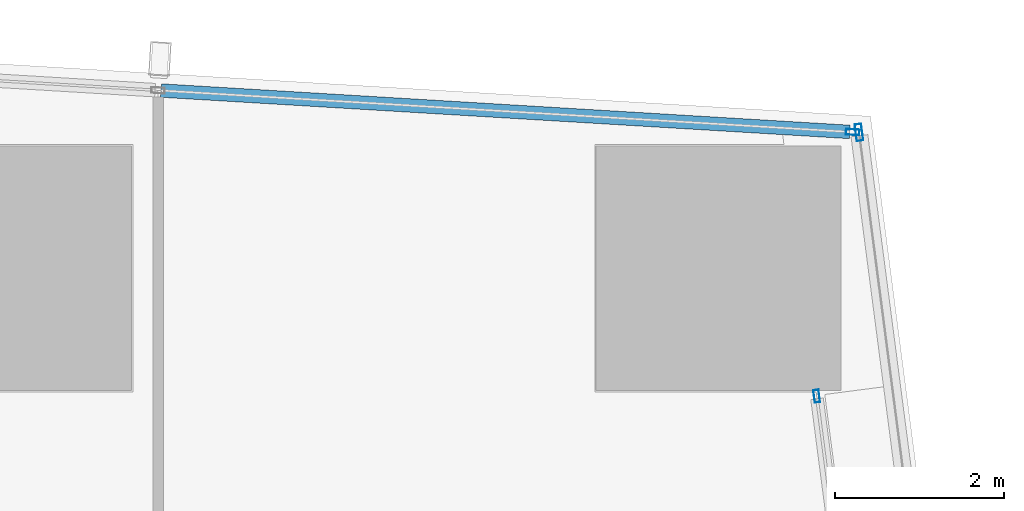
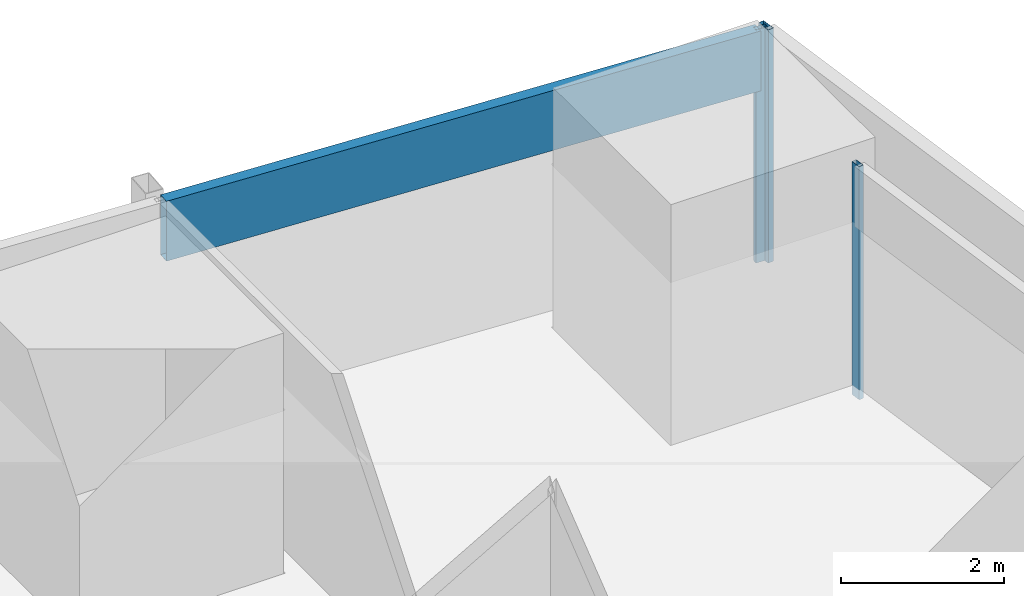
# One storey, part 20 of 40: 4 members, 3 elements without a shape of their own.
"""IFC4 building model written with IfcOpenShell, lengths in metres."""

import ifcopenshell
import ifcopenshell.guid

model = None  # the IFC model being written
_history = None  # IfcOwnerHistory: only IFC2X3 demands one
_inside = {}  # id of a spatial element -> (the spatial element, [elements in it])
_under = {}  # id of a project, library or spatial element -> (it, [spatial elements below it])
_declared = {}  # id of a project -> (the project, [libraries it declares])
_typed = {}  # id of a type object -> (the type object, [elements of that type])
_made_of = {}  # id of a material, layer set ... -> (it, [elements and type objects made of it])


def new_model(schema):
    """Start an empty IFC model of exactly this schema.

    Asked for "IFC4X3", IfcOpenShell would pick the latest addendum, in which some entities
    have other attributes; the version numbers below select the first issue.
    IFC2X3 requires an IfcOwnerHistory on every rooted entity: one is made here for all.
    """
    global model, _history
    if schema == "IFC4X3":
        model = ifcopenshell.file(schema_version=(4, 3, 0, 0))
    else:
        model = ifcopenshell.file(schema=schema)
    _inside.clear()
    _under.clear()
    _declared.clear()
    _typed.clear()
    _made_of.clear()
    _history = None
    if model.schema == "IFC2X3":
        org = make("IfcOrganization", Name="unknown")
        user = make(
            "IfcPersonAndOrganization",
            ThePerson=make("IfcPerson", FamilyName="unknown"),
            TheOrganization=org,
        )
        app = make(
            "IfcApplication",
            ApplicationDeveloper=org,
            Version="unknown",
            ApplicationFullName="unknown",
            ApplicationIdentifier="unknown",
        )
        _history = make(
            "IfcOwnerHistory",
            OwningUser=user,
            OwningApplication=app,
            ChangeAction="ADDED",
            CreationDate=0,
        )
    return model


def make(cls, **values):
    """One entity of the class cls with the attributes given. An attribute that is None is left unset."""
    return model.create_entity(
        cls, **{name: value for name, value in values.items() if value is not None}
    )


def rooted(cls, **values):
    """An entity with a GlobalId (a new one), such as an element, a storey or a relation."""
    return make(cls, GlobalId=ifcopenshell.guid.new(), OwnerHistory=_history, **values)


def si_unit(unit_type, name, prefix=None):
    """IfcSIUnit, for example si_unit("LENGTHUNIT", "METRE", prefix="MILLI")."""
    return make("IfcSIUnit", UnitType=unit_type, Prefix=prefix, Name=name)


def assignment(units):
    """IfcUnitAssignment: the units of a project."""
    return None if units is None else make("IfcUnitAssignment", Units=units)


def point(xyz):
    """IfcCartesianPoint."""
    return None if xyz is None else make("IfcCartesianPoint", Coordinates=xyz)


def direction(xyz):
    """IfcDirection."""
    return None if xyz is None else make("IfcDirection", DirectionRatios=xyz)


def frame(location, z_axis=None, x_axis=None):
    """IfcAxis2Placement3D, a coordinate frame: its origin and axes. An axis left out is left unset."""
    return make(
        "IfcAxis2Placement3D",
        Location=point(location),
        Axis=direction(z_axis),
        RefDirection=direction(x_axis),
    )


def frame_2d(location, x_axis=None):
    """IfcAxis2Placement2D, a coordinate frame in the plane: its origin and x axis."""
    return make(
        "IfcAxis2Placement2D", Location=point(location), RefDirection=direction(x_axis)
    )


def origin():
    """The frame at (0, 0, 0) with its axes left unset."""
    return frame((0.0, 0.0, 0.0))


def origin_2d():
    """The frame at (0, 0) in the plane with its x axis left unset."""
    return frame_2d((0.0, 0.0))


def place(relative_to, where):
    """IfcLocalPlacement: puts the frame where relative to a parent placement (None: the world)."""
    return make(
        "IfcLocalPlacement", PlacementRelTo=relative_to, RelativePlacement=where
    )


def context(
    kind, dimensions, precision=None, world=None, true_north=None, identifier=None
):
    """IfcGeometricRepresentationContext, for example the 3D "Model" context."""
    return make(
        "IfcGeometricRepresentationContext",
        ContextIdentifier=identifier,
        ContextType=kind,
        CoordinateSpaceDimension=dimensions,
        Precision=precision,
        WorldCoordinateSystem=world,
        TrueNorth=true_north,
    )


def subcontext(parent, identifier, kind, view, scale=None):
    """IfcGeometricRepresentationSubContext, for example "Body" below "Model"."""
    return make(
        "IfcGeometricRepresentationSubContext",
        ContextIdentifier=identifier,
        ContextType=kind,
        ParentContext=parent,
        TargetScale=scale,
        TargetView=view,
    )


def project(units=None, contexts=None):
    """IfcProject with its units and contexts."""
    return rooted(
        "IfcProject",
        Name="project",
        RepresentationContexts=contexts,
        UnitsInContext=assignment(units),
    )


def spatial(cls, under=None, at=None, **own):
    """A site, building, storey or space (cls), placed at a placement, below another one or the project."""
    s = rooted(cls, ObjectPlacement=at, **own)
    if under is not None:
        _under.setdefault(under.id(), (under, []))[1].append(s)
    return s


def profile(cls, at=None, kind="AREA", **sizes):
    """A parametric profile (cls). Its sizes go by their IFC names, for example OverallWidth=200.0."""
    return make(cls, ProfileType=kind, Position=at, **sizes)


def hollow_rectangle(**sizes):
    """IfcRectangleHollowProfileDef."""
    return profile("IfcRectangleHollowProfileDef", **sizes)


def extrude(swept, where, along, depth):
    """IfcExtrudedAreaSolid: the profile swept, set in the frame where, extruded along a direction by depth."""
    return make(
        "IfcExtrudedAreaSolid",
        SweptArea=swept,
        Position=where,
        ExtrudedDirection=direction(along),
        Depth=depth,
    )


def shape(context_of_items, identifier, shape_type, items):
    """IfcShapeRepresentation: the items that make up one representation, for example the "Body"."""
    return make(
        "IfcShapeRepresentation",
        ContextOfItems=context_of_items,
        RepresentationIdentifier=identifier,
        RepresentationType=shape_type,
        Items=items,
    )


def material(Name=None, Category=None):
    """IfcMaterial."""
    return make("IfcMaterial", Name=Name, Category=Category)


def material_profile(
    of_material, cross_section, Name=None, Category=None, Priority=None
):
    """IfcMaterialProfile: a cross section and its material."""
    return make(
        "IfcMaterialProfile",
        Name=Name,
        Material=of_material,
        Profile=cross_section,
        Priority=Priority,
        Category=Category,
    )


def profile_set(profiles, Name=None, composite=None):
    """IfcMaterialProfileSet."""
    return make(
        "IfcMaterialProfileSet",
        Name=Name,
        MaterialProfiles=profiles,
        CompositeProfile=composite,
    )


def made_of(thing, what):
    """Note that an element or type object is made of a material, layer set ...; save() writes the relation."""
    if what is not None:
        _made_of.setdefault(what.id(), (what, []))[1].append(thing)
    return thing


def type_object(cls, material=None, **own):
    """A type object (cls), such as IfcWallType, which elements share."""
    return made_of(rooted(cls, **own), material)


def element(
    cls,
    number,
    at=None,
    inside=None,
    cuts=None,
    type_object=None,
    material=None,
    context=None,
    identifier="Body",
    shape_type=None,
    held_by="IfcProductDefinitionShape",
    body=None,
    shapes=None,
    **own,
):
    """One element of the class cls, such as IfcWall. Its Tag is "e" and its number.

    at: its placement. inside: the storey or other place that contains it. cuts: it is an
    opening in that element (IfcRelVoidsElement). A single representation is given by context,
    identifier, shape_type and body (its items); several are given by shapes. held_by: the class
    of the entity that holds the representations. save() writes the other relations.
    """
    e = rooted(cls, Tag="e%d" % number, ObjectPlacement=at, **own)
    if body is not None:
        shapes = [shape(context, identifier, shape_type, body)]
    if shapes is not None:
        e.Representation = make(held_by, Representations=shapes)
    if inside is not None:
        _inside.setdefault(inside.id(), (inside, []))[1].append(e)
    if cuts is not None:
        rooted(
            "IfcRelVoidsElement", RelatingBuildingElement=cuts, RelatedOpeningElement=e
        )
    if type_object is not None:
        _typed.setdefault(type_object.id(), (type_object, []))[1].append(e)
    return made_of(e, material)


def aggregate(whole, parts):
    """IfcRelAggregates: a whole, such as a stair, and the parts it consists of."""
    return rooted("IfcRelAggregates", RelatingObject=whole, RelatedObjects=parts)


def save(model, path):
    """Write the relations noted so far, then the file.

    IfcRelAggregates (storeys below a building ...), IfcRelContainedInSpatialStructure (elements
    in a storey), IfcRelDefinesByType, IfcRelAssociatesMaterial and IfcRelDeclares: one each for
    every whole, place, type object, material and project.
    """
    for whole, parts in _under.values():
        aggregate(whole, parts)
    for where, things in _inside.values():
        rooted(
            "IfcRelContainedInSpatialStructure",
            RelatedElements=things,
            RelatingStructure=where,
        )
    for kind, things in _typed.values():
        rooted("IfcRelDefinesByType", RelatedObjects=things, RelatingType=kind)
    for what, things in _made_of.values():
        rooted("IfcRelAssociatesMaterial", RelatedObjects=things, RelatingMaterial=what)
    for by, libraries in _declared.values():
        rooted("IfcRelDeclares", RelatingContext=by, RelatedDefinitions=libraries)
    model.write(path)


model = new_model("IFC4")

# Units and contexts
model_context = context("Model", 3, precision=1e-05, world=origin(), true_north=direction((0.0, 1.0)))
body_context = subcontext(model_context, "Body", "Model", "MODEL_VIEW")
ifc_project = project(units=[si_unit("LENGTHUNIT", "METRE"), si_unit("AREAUNIT", "SQUARE_METRE"), si_unit("VOLUMEUNIT", "CUBIC_METRE"), si_unit("PLANEANGLEUNIT", "RADIAN"), si_unit("MASSUNIT", "GRAM", prefix="KILO")], contexts=[model_context])

# Site, building, storey
site_placement = place(None, origin())
site = spatial("IfcSite", under=ifc_project, at=site_placement, CompositionType="ELEMENT")
building_placement = place(site_placement, origin())
building = spatial("IfcBuilding", under=site, at=building_placement, Name="Rekha Terrace Tower", CompositionType="ELEMENT")
storey_placement = place(building_placement, frame((0.0, 0.0, 95.300048828125)))
storey = spatial("IfcBuildingStorey", under=building, at=storey_placement, Name="L23", CompositionType="ELEMENT", Elevation=95.300048828125)

# Curtain wall, member
ifc_material_1 = material(Name="Aluminium framing", Category="aluminium")
curtain_wall_type_1 = type_object("IfcCurtainWallType", Name="CW1 double skin inner glazing", PredefinedType="USERDEFINED", material=ifc_material_1)
curtain_wall_1_placement = place(storey_placement, origin())
curtain_wall_1 = element("IfcCurtainWall", 1, at=curtain_wall_1_placement, inside=storey, type_object=curtain_wall_type_1, Name="CW1 double skin inner glazing", ObjectType="DOUBLE SKIN INNER GLAZING", PredefinedType="USERDEFINED")
ifc_material_2 = material(Name="Aluminium mullion section", Category="aluminium")
ifc_material_profile_1 = material_profile(ifc_material_2, hollow_rectangle(XDim=0.06494140625, YDim=0.14990234375, WallThickness=0.00390625, at=origin_2d()), Name="AL RHS 65x150")
ifc_profile_set_1 = profile_set([ifc_material_profile_1], Name="Aluminium mullion section")
member_type_1 = type_object("IfcMemberType", Name="CW1 mullion RHS 65 x 150", PredefinedType="MULLION", material=ifc_profile_set_1)
member_1_placement = place(storey_placement, frame((68.362548828125, 57.28564453125, 0.0), z_axis=(0.0, 0.0, 1.0), x_axis=(-0.991629186239, -0.129118383658, 0.0)))
member_1 = element("IfcMember", 2, at=member_1_placement, type_object=member_type_1, Name="CW1 mullion 2", PredefinedType="MULLION", context=body_context, shape_type="SweptSolid", body=[
    extrude(hollow_rectangle(XDim=0.06494140625, YDim=0.14990234375, WallThickness=0.00390625, at=origin_2d()), origin(), (0.0, 0.0, 1.0), 3.5),
])
aggregate(curtain_wall_1, [member_1])

curtain_wall_type_2 = type_object("IfcCurtainWallType", Name="CW2 double skin outer glazing", PredefinedType="USERDEFINED", material=ifc_material_1)
curtain_wall_2_placement = place(storey_placement, origin())
curtain_wall_2 = element("IfcCurtainWall", 3, at=curtain_wall_2_placement, inside=storey, type_object=curtain_wall_type_2, Name="CW2 double skin outer glazing", ObjectType="DOUBLE SKIN OUTER GLAZING", PredefinedType="USERDEFINED")
ifc_material_profile_2 = material_profile(ifc_material_2, hollow_rectangle(XDim=0.080078125, YDim=0.199951171875, WallThickness=0.00390625, at=origin_2d()), Name="AL RHS 80x200")
ifc_profile_set_2 = profile_set([ifc_material_profile_2], Name="Aluminium mullion section")
member_type_2 = type_object("IfcMemberType", Name="CW2 mullion RHS 80 x 200", PredefinedType="MULLION", material=ifc_profile_set_2)
member_2_placement = place(storey_placement, frame((68.863525390625, 60.408447265625, 0.0), z_axis=(0.0, 0.0, 1.0), x_axis=(-0.991629186244, -0.129118383623, 0.0)))
member_2 = element("IfcMember", 4, at=member_2_placement, type_object=member_type_2, Name="CW2 mullion 3", PredefinedType="MULLION", context=body_context, shape_type="SweptSolid", body=[
    extrude(hollow_rectangle(XDim=0.080078125, YDim=0.199951171875, WallThickness=0.00390625, at=origin_2d()), origin(), (0.0, 0.0, 1.0), 3.5),
])
aggregate(curtain_wall_2, [member_2])

# Curtain wall, members
curtain_wall_type_3 = type_object("IfcCurtainWallType", Name="CW3 north unitised glazing", PredefinedType="USERDEFINED", material=ifc_material_1)
curtain_wall_3_placement = place(storey_placement, origin())
curtain_wall_3 = element("IfcCurtainWall", 5, at=curtain_wall_3_placement, inside=storey, type_object=curtain_wall_type_3, Name="CW3 unitised curtain wall", ObjectType="UNITISED CURTAIN WALL", PredefinedType="USERDEFINED")
ifc_material_profile_3 = material_profile(ifc_material_2, hollow_rectangle(XDim=0.070068359375, YDim=0.159912109375, WallThickness=0.00390625, at=origin_2d()), Name="AL RHS 70x160")
ifc_profile_set_3 = profile_set([ifc_material_profile_3], Name="Aluminium mullion section")
member_type_3 = type_object("IfcMemberType", Name="CW3 mullion RHS 70 x 160", PredefinedType="MULLION", material=ifc_profile_set_3)
member_3_placement = place(storey_placement, frame((68.7880859375, 60.412353515625, 0.0), z_axis=(0.0, 0.0, 1.0), x_axis=(-0.059987926837, -0.998199102701, 0.0)))
member_3 = element("IfcMember", 6, at=member_3_placement, type_object=member_type_3, Name="CW3 mullion 1", PredefinedType="MULLION", context=body_context, shape_type="SweptSolid", body=[
    extrude(hollow_rectangle(XDim=0.070068359375, YDim=0.159912109375, WallThickness=0.00390625, at=origin_2d()), origin(), (0.0, 0.0, 1.0), 3.5),
])
ifc_material_3 = material(Name="Insulated aluminium spandrel box", Category="aluminium")
ifc_material_profile_4 = material_profile(ifc_material_3, hollow_rectangle(XDim=0.159912109375, YDim=0.89990234375, WallThickness=0.0029296875, at=origin_2d()), Name="AL SPANDREL BOX 160x900")
ifc_profile_set_4 = profile_set([ifc_material_profile_4], Name="Insulated aluminium spandrel box")
member_type_4 = type_object("IfcMemberType", Name="CW3 spandrel transom 160 x 900", PredefinedType="USERDEFINED", material=ifc_profile_set_4)
member_4_placement = place(storey_placement, frame((68.753173828125, 60.41455078125, 3.050048828125), z_axis=(-0.998198874769, 0.05999171951, 0.0), x_axis=(-0.05999171951, -0.998198874769, 0.0)))
member_4 = element("IfcMember", 7, at=member_4_placement, type_object=member_type_4, Name="CW3 spandrel transom 1", ObjectType="TRANSOM", PredefinedType="USERDEFINED", context=body_context, shape_type="SweptSolid", body=[
    extrude(hollow_rectangle(XDim=0.159912109375, YDim=0.89990234375, WallThickness=0.0029296875, at=origin_2d()), origin(), (0.0, 0.0, 1.0), 8.171630859375),
])
aggregate(curtain_wall_3, [member_3, member_4])

save(model, "model.ifc")
